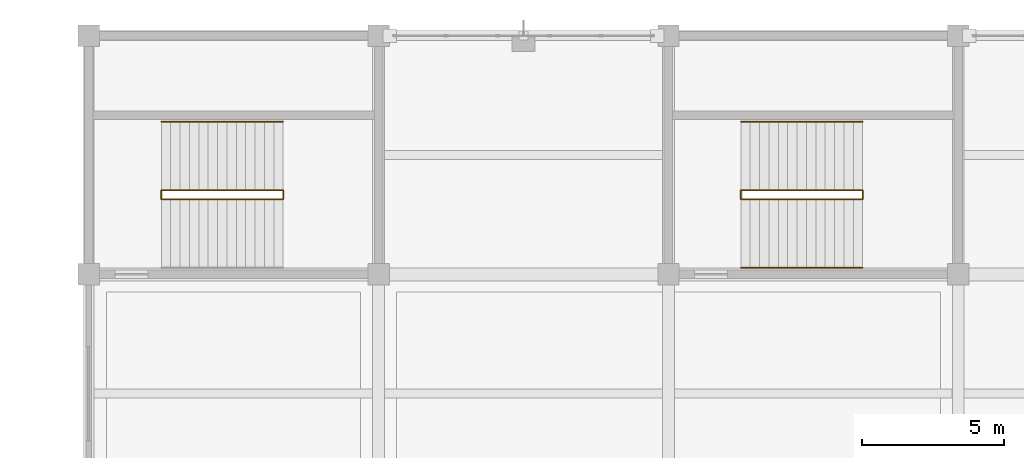
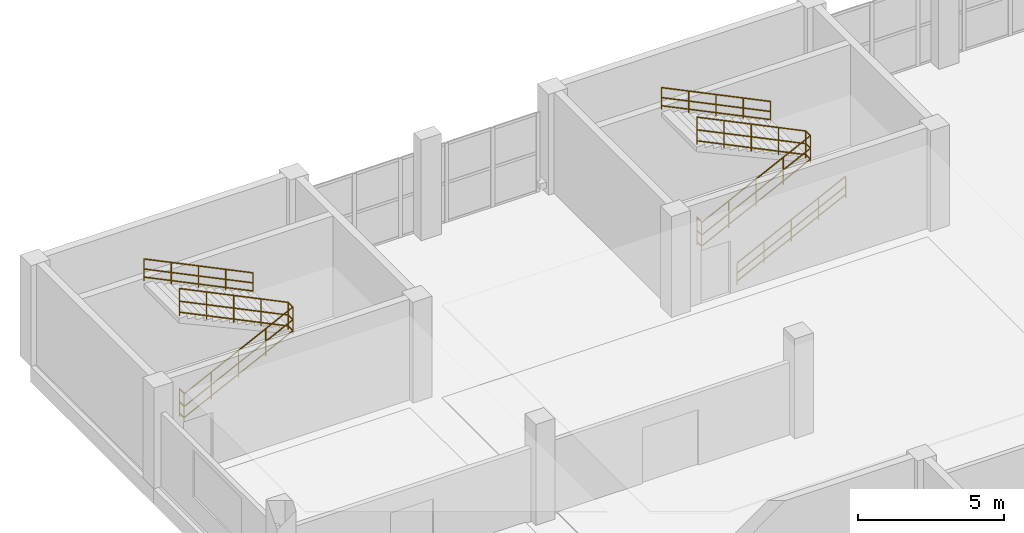
# One storey, part 156 of 157: 7 railings.
"""IFC4 building model written with IfcOpenShell, lengths in metres."""

from ifc_helpers import new_model, si_unit, direction, frame, origin, origin_2d, place, context, subcontext, project, spatial, circle, extrude, material, type_object, element, save


model = new_model("IFC4")

# Units and contexts
model_context = context("Model", 3, precision=1e-05, world=origin(), true_north=direction((0.0, 1.0)))
body_context = subcontext(model_context, "Body", "Model", "MODEL_VIEW")
ifc_project = project(units=[si_unit("LENGTHUNIT", "METRE"), si_unit("AREAUNIT", "SQUARE_METRE"), si_unit("VOLUMEUNIT", "CUBIC_METRE"), si_unit("PLANEANGLEUNIT", "RADIAN"), si_unit("MASSUNIT", "GRAM", prefix="KILO")], contexts=[model_context])

# Site, building, storey
site_placement = place(None, origin())
site = spatial("IfcSite", under=ifc_project, at=site_placement, CompositionType="ELEMENT")
building_placement = place(site_placement, origin())
building = spatial("IfcBuilding", under=site, at=building_placement, Name="Brelvane Convention Centre", CompositionType="ELEMENT")
storey_placement = place(building_placement, frame((0.0, 0.0, 10.800048828125)))
storey = spatial("IfcBuildingStorey", under=building, at=storey_placement, Name="L02", CompositionType="ELEMENT", Elevation=10.800048828125)

# Railings
ifc_material_1 = material(Name="Steel E350 (350 MPa)", Category="steel")
railing_type_1 = type_object("IfcRailingType", Name="Stair Railing GR-ST-1", PredefinedType="GUARDRAIL", material=ifc_material_1)
railing_1_placement = place(storey_placement, frame((22.949951171875, 138.239990234375, -0.02001953125)))
element("IfcRailing", 1, at=railing_1_placement, inside=storey, type_object=railing_type_1, Name="Stair ST-13 L02 Inner Well Guard", PredefinedType="GUARDRAIL", context=body_context, shape_type="SweptSolid", body=[
    extrude(circle(Radius=0.02392578125, at=origin_2d()), frame((0.0, 0.0, 1.1259765625), z_axis=(0.896519325311, 0.0, 0.443004626774), x_axis=(0.0, 1.0, 0.0)), (0.0, 0.0, 1.0), 4.78515625),
    extrude(circle(Radius=0.02392578125, at=origin_2d()), frame((0.0, 0.0, 0.597900390625), z_axis=(0.896519325311, 0.0, 0.443004626774), x_axis=(0.0, 1.0, 0.0)), (0.0, 0.0, 1.0), 4.78515625),
    extrude(circle(Radius=0.02392578125, at=origin_2d()), frame((0.0, 0.0, 0.139892578125), z_axis=(0.896519325311, 0.0, 0.443004626774), x_axis=(0.0, 1.0, 0.0)), (0.0, 0.0, 1.0), 4.78515625),
    extrude(circle(Radius=0.02392578125, at=origin_2d()), frame((4.2900390625, 0.0, 3.245849609375), z_axis=(0.0, 1.0, 0.0), x_axis=(-1.0, 0.0, 0.0)), (0.0, 0.0, 1.0), 0.320068359375),
    extrude(circle(Radius=0.02392578125, at=origin_2d()), frame((4.2900390625, 0.0, 2.7177734375), z_axis=(0.0, 1.0, 0.0), x_axis=(-1.0, 0.0, 0.0)), (0.0, 0.0, 1.0), 0.320068359375),
    extrude(circle(Radius=0.02392578125, at=origin_2d()), frame((4.2900390625, 0.0, 2.259765625), z_axis=(0.0, 1.0, 0.0), x_axis=(-1.0, 0.0, 0.0)), (0.0, 0.0, 1.0), 0.320068359375),
    extrude(circle(Radius=0.02392578125, at=origin_2d()), frame((4.2900390625, 0.320068359375, 3.245849609375), z_axis=(-0.89980923391, 0.0, 0.43628355753), x_axis=(0.0, -1.0, 0.0)), (0.0, 0.0, 1.0), 4.767822265625),
    extrude(circle(Radius=0.02392578125, at=origin_2d()), frame((4.2900390625, 0.320068359375, 2.7177734375), z_axis=(-0.89980923391, 0.0, 0.43628355753), x_axis=(0.0, -1.0, 0.0)), (0.0, 0.0, 1.0), 4.767822265625),
    extrude(circle(Radius=0.02392578125, at=origin_2d()), frame((4.2900390625, 0.320068359375, 2.259765625), z_axis=(-0.89980923391, 0.0, 0.43628355753), x_axis=(0.0, -1.0, 0.0)), (0.0, 0.0, 1.0), 4.767822265625),
    extrude(circle(Radius=0.02099609375, at=origin_2d()), origin(), (0.0, 0.0, 1.0), 1.101806640625),
    extrude(circle(Radius=0.02099609375, at=origin_2d()), frame((1.072509765625, 0.0, 0.530029296875)), (0.0, 0.0, 1.0), 1.101806640625),
    extrude(circle(Radius=0.02099609375, at=origin_2d()), frame((2.14501953125, 0.0, 1.06005859375)), (0.0, 0.0, 1.0), 1.101806640625),
    extrude(circle(Radius=0.02099609375, at=origin_2d()), frame((3.217529296875, 0.0, 1.58984375)), (0.0, 0.0, 1.0), 1.101806640625),
    extrude(circle(Radius=0.02099609375, at=origin_2d()), frame((4.2900390625, 0.0, 2.119873046875)), (0.0, 0.0, 1.0), 1.101806640625),
    extrude(circle(Radius=0.02099609375, at=origin_2d()), frame((4.2900390625, 0.320068359375, 2.119873046875)), (0.0, 0.0, 1.0), 1.101806640625),
    extrude(circle(Radius=0.02099609375, at=origin_2d()), frame((3.217529296875, 0.320068359375, 2.639892578125)), (0.0, 0.0, 1.0), 1.101806640625),
    extrude(circle(Radius=0.02099609375, at=origin_2d()), frame((2.14501953125, 0.320068359375, 3.159912109375)), (0.0, 0.0, 1.0), 1.101806640625),
    extrude(circle(Radius=0.02099609375, at=origin_2d()), frame((1.072509765625, 0.320068359375, 3.679931640625)), (0.0, 0.0, 1.0), 1.101806640625),
    extrude(circle(Radius=0.02099609375, at=origin_2d()), frame((0.0, 0.320068359375, 4.199951171875)), (0.0, 0.0, 1.0), 1.101806640625),
])
railing_2_placement = place(storey_placement, frame((2.550048828125, 138.239990234375, -0.02001953125)))
element("IfcRailing", 2, at=railing_2_placement, inside=storey, type_object=railing_type_1, Name="Stair ST-17 L02 Inner Well Guard", PredefinedType="GUARDRAIL", context=body_context, shape_type="SweptSolid", body=[
    extrude(circle(Radius=0.02392578125, at=origin_2d()), frame((0.0, 0.0, 1.1259765625), z_axis=(0.896519325311, 0.0, 0.443004626774), x_axis=(0.0, 1.0, 0.0)), (0.0, 0.0, 1.0), 4.78515625),
    extrude(circle(Radius=0.02392578125, at=origin_2d()), frame((0.0, 0.0, 0.597900390625), z_axis=(0.896519325311, 0.0, 0.443004626774), x_axis=(0.0, 1.0, 0.0)), (0.0, 0.0, 1.0), 4.78515625),
    extrude(circle(Radius=0.02392578125, at=origin_2d()), frame((0.0, 0.0, 0.139892578125), z_axis=(0.896519325311, 0.0, 0.443004626774), x_axis=(0.0, 1.0, 0.0)), (0.0, 0.0, 1.0), 4.78515625),
    extrude(circle(Radius=0.02392578125, at=origin_2d()), frame((4.2900390625, 0.0, 3.245849609375), z_axis=(0.0, 1.0, 0.0), x_axis=(-1.0, 0.0, 0.0)), (0.0, 0.0, 1.0), 0.320068359375),
    extrude(circle(Radius=0.02392578125, at=origin_2d()), frame((4.2900390625, 0.0, 2.7177734375), z_axis=(0.0, 1.0, 0.0), x_axis=(-1.0, 0.0, 0.0)), (0.0, 0.0, 1.0), 0.320068359375),
    extrude(circle(Radius=0.02392578125, at=origin_2d()), frame((4.2900390625, 0.0, 2.259765625), z_axis=(0.0, 1.0, 0.0), x_axis=(-1.0, 0.0, 0.0)), (0.0, 0.0, 1.0), 0.320068359375),
    extrude(circle(Radius=0.02392578125, at=origin_2d()), frame((4.2900390625, 0.320068359375, 3.245849609375), z_axis=(-0.89980923391, 0.0, 0.43628355753), x_axis=(0.0, -1.0, 0.0)), (0.0, 0.0, 1.0), 4.767822265625),
    extrude(circle(Radius=0.02392578125, at=origin_2d()), frame((4.2900390625, 0.320068359375, 2.7177734375), z_axis=(-0.89980923391, 0.0, 0.43628355753), x_axis=(0.0, -1.0, 0.0)), (0.0, 0.0, 1.0), 4.767822265625),
    extrude(circle(Radius=0.02392578125, at=origin_2d()), frame((4.2900390625, 0.320068359375, 2.259765625), z_axis=(-0.89980923391, 0.0, 0.43628355753), x_axis=(0.0, -1.0, 0.0)), (0.0, 0.0, 1.0), 4.767822265625),
    extrude(circle(Radius=0.02099609375, at=origin_2d()), origin(), (0.0, 0.0, 1.0), 1.101806640625),
    extrude(circle(Radius=0.02099609375, at=origin_2d()), frame((1.072509765625, 0.0, 0.530029296875)), (0.0, 0.0, 1.0), 1.101806640625),
    extrude(circle(Radius=0.02099609375, at=origin_2d()), frame((2.14501953125, 0.0, 1.06005859375)), (0.0, 0.0, 1.0), 1.101806640625),
    extrude(circle(Radius=0.02099609375, at=origin_2d()), frame((3.217529296875, 0.0, 1.58984375)), (0.0, 0.0, 1.0), 1.101806640625),
    extrude(circle(Radius=0.02099609375, at=origin_2d()), frame((4.2900390625, 0.0, 2.119873046875)), (0.0, 0.0, 1.0), 1.101806640625),
    extrude(circle(Radius=0.02099609375, at=origin_2d()), frame((4.2900390625, 0.320068359375, 2.119873046875)), (0.0, 0.0, 1.0), 1.101806640625),
    extrude(circle(Radius=0.02099609375, at=origin_2d()), frame((3.217529296875, 0.320068359375, 2.639892578125)), (0.0, 0.0, 1.0), 1.101806640625),
    extrude(circle(Radius=0.02099609375, at=origin_2d()), frame((2.14501953125, 0.320068359375, 3.159912109375)), (0.0, 0.0, 1.0), 1.101806640625),
    extrude(circle(Radius=0.02099609375, at=origin_2d()), frame((1.072509765625, 0.320068359375, 3.679931640625)), (0.0, 0.0, 1.0), 1.101806640625),
    extrude(circle(Radius=0.02099609375, at=origin_2d()), frame((0.0, 0.320068359375, 4.199951171875)), (0.0, 0.0, 1.0), 1.101806640625),
])
ifc_material_2 = material(Name="Steel E350 (350 MPa)", Category="steel")
railing_type_2 = type_object("IfcRailingType", Name="Stair Railing GR-ST-2", PredefinedType="GUARDRAIL", material=ifc_material_2)
for number, where, name in (
    (3, (22.949951171875, 138.239990234375, -0.02001953125), "Stair ST-13 L02 Landing Well Guard"),
    (4, (2.550048828125, 138.239990234375, -0.02001953125), "Stair ST-17 L02 Landing Well Guard"),
):
    element("IfcRailing", number, at=place(storey_placement, frame(where)), inside=storey, type_object=railing_type_2, Name=name, PredefinedType="GUARDRAIL", context=body_context, shape_type="SweptSolid", body=[
        extrude(circle(Radius=0.02392578125, at=origin_2d()), frame((0.0, 0.0, 1.15576171875), z_axis=(0.0, 1.0, 0.0), x_axis=(-1.0, 0.0, 0.0)), (0.0, 0.0, 1.0), 0.320068359375),
        extrude(circle(Radius=0.02392578125, at=origin_2d()), frame((0.0, 0.0, 0.613525390625), z_axis=(0.0, 1.0, 0.0), x_axis=(-1.0, 0.0, 0.0)), (0.0, 0.0, 1.0), 0.320068359375),
        extrude(circle(Radius=0.02392578125, at=origin_2d()), frame((0.0, 0.0, 0.139892578125), z_axis=(0.0, 1.0, 0.0), x_axis=(-1.0, 0.0, 0.0)), (0.0, 0.0, 1.0), 0.320068359375),
        extrude(circle(Radius=0.02099609375, at=origin_2d()), origin(), (0.0, 0.0, 1.0), 1.1318359375),
        extrude(circle(Radius=0.02099609375, at=origin_2d()), frame((0.0, 0.320068359375, 0.0)), (0.0, 0.0, 1.0), 1.1318359375),
    ])
ifc_material_3 = material(Name="Steel E350 (350 MPa)", Category="steel")
railing_type_3 = type_object("IfcRailingType", Name="Stair Railing HR-ST-1", PredefinedType="HANDRAIL", material=ifc_material_3)
railing_3_placement = place(storey_placement, frame((22.949951171875, 135.830078125, -0.02001953125)))
element("IfcRailing", 5, at=railing_3_placement, inside=storey, type_object=railing_type_3, Name="Stair ST-13 L02 Outer Handrail F1", PredefinedType="HANDRAIL", context=body_context, shape_type="SweptSolid", body=[
    extrude(circle(Radius=0.02392578125, at=origin_2d()), frame((0.0, 0.0, 0.89599609375), z_axis=(0.896519325311, 0.0, 0.443004626774), x_axis=(0.0, 1.0, 0.0)), (0.0, 0.0, 1.0), 4.78515625),
    extrude(circle(Radius=0.02392578125, at=origin_2d()), frame((0.0, 0.0, 0.478271484375), z_axis=(0.896519325311, 0.0, 0.443004626774), x_axis=(0.0, 1.0, 0.0)), (0.0, 0.0, 1.0), 4.78515625),
    extrude(circle(Radius=0.02392578125, at=origin_2d()), frame((0.0, 0.0, 0.139892578125), z_axis=(0.896519325311, 0.0, 0.443004626774), x_axis=(0.0, 1.0, 0.0)), (0.0, 0.0, 1.0), 4.78515625),
    extrude(circle(Radius=0.02099609375, at=origin_2d()), origin(), (0.0, 0.0, 1.0), 0.871826171875),
    extrude(circle(Radius=0.02099609375, at=origin_2d()), frame((1.072509765625, 0.0, 0.530029296875)), (0.0, 0.0, 1.0), 0.871826171875),
    extrude(circle(Radius=0.02099609375, at=origin_2d()), frame((2.14501953125, 0.0, 1.06005859375)), (0.0, 0.0, 1.0), 0.871826171875),
    extrude(circle(Radius=0.02099609375, at=origin_2d()), frame((3.217529296875, 0.0, 1.58984375)), (0.0, 0.0, 1.0), 0.871826171875),
    extrude(circle(Radius=0.02099609375, at=origin_2d()), frame((4.2900390625, 0.0, 2.119873046875)), (0.0, 0.0, 1.0), 0.871826171875),
])
for number, where, name in (
    (6, (27.239990234375, 140.969970703125, 2.099853515625), "Stair ST-13 L02 Outer Handrail F2"),
    (7, (6.840087890625, 140.969970703125, 2.099853515625), "Stair ST-17 L02 Outer Handrail F2"),
):
    element("IfcRailing", number, at=place(storey_placement, frame(where)), inside=storey, type_object=railing_type_3, Name=name, PredefinedType="HANDRAIL", context=body_context, shape_type="SweptSolid", body=[
        extrude(circle(Radius=0.02392578125, at=origin_2d()), frame((0.0, 0.0, 0.89599609375), z_axis=(-0.89980923391, 0.0, 0.43628355753), x_axis=(0.0, -1.0, 0.0)), (0.0, 0.0, 1.0), 4.767822265625),
        extrude(circle(Radius=0.02392578125, at=origin_2d()), frame((0.0, 0.0, 0.478271484375), z_axis=(-0.89980923391, 0.0, 0.43628355753), x_axis=(0.0, -1.0, 0.0)), (0.0, 0.0, 1.0), 4.767822265625),
        extrude(circle(Radius=0.02392578125, at=origin_2d()), frame((0.0, 0.0, 0.139892578125), z_axis=(-0.89980923391, 0.0, 0.43628355753), x_axis=(0.0, -1.0, 0.0)), (0.0, 0.0, 1.0), 4.767822265625),
        extrude(circle(Radius=0.02099609375, at=origin_2d()), origin(), (0.0, 0.0, 1.0), 0.871826171875),
        extrude(circle(Radius=0.02099609375, at=origin_2d()), frame((-1.072509765625, 0.0, 0.52001953125)), (0.0, 0.0, 1.0), 0.871826171875),
        extrude(circle(Radius=0.02099609375, at=origin_2d()), frame((-2.14501953125, 0.0, 1.0400390625)), (0.0, 0.0, 1.0), 0.871826171875),
        extrude(circle(Radius=0.02099609375, at=origin_2d()), frame((-3.217529296875, 0.0, 1.56005859375)), (0.0, 0.0, 1.0), 0.871826171875),
        extrude(circle(Radius=0.02099609375, at=origin_2d()), frame((-4.2900390625, 0.0, 2.080078125)), (0.0, 0.0, 1.0), 0.871826171875),
    ])

save(model, "model.ifc")
